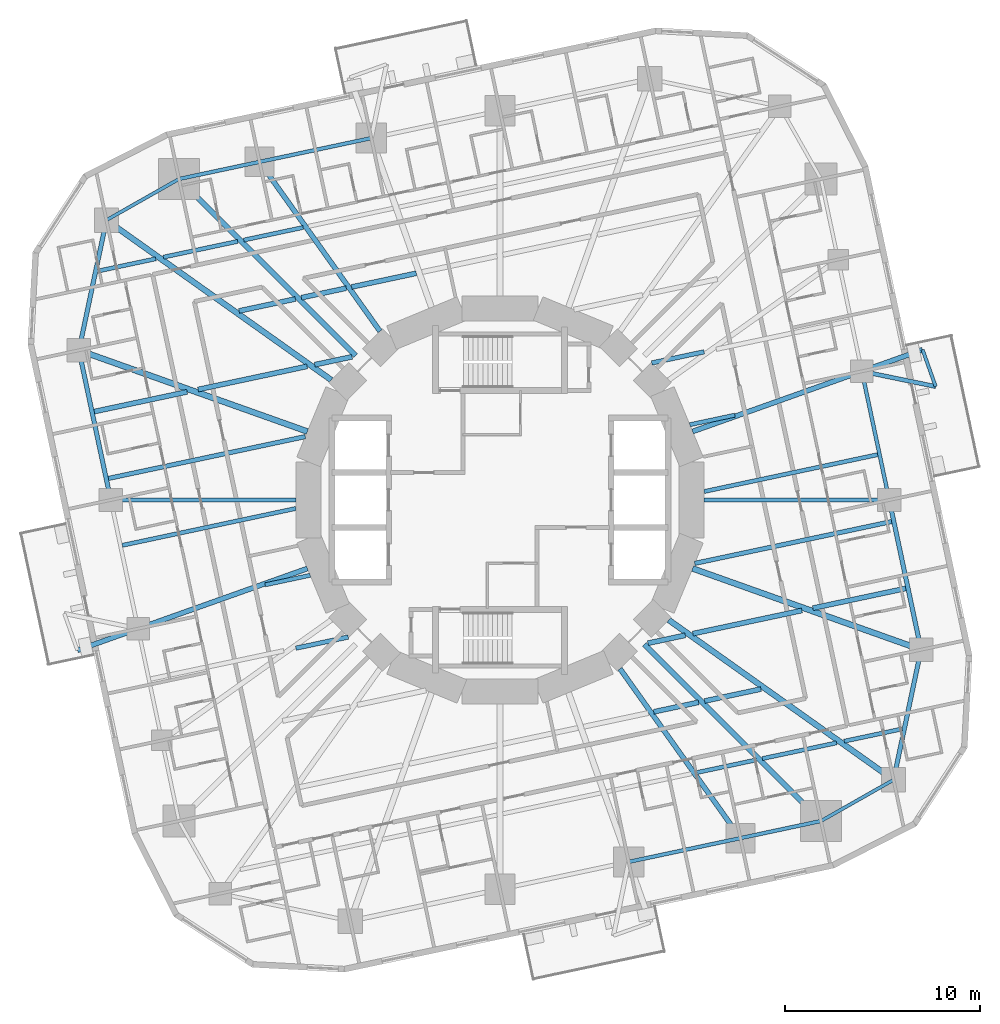
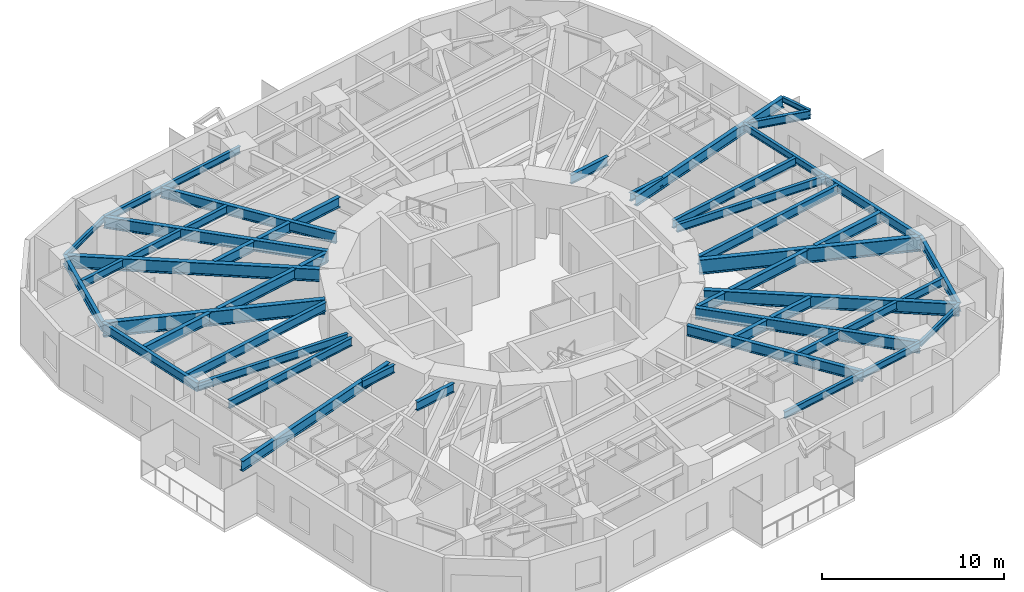
# One storey, part 2 of 14: 50 beams.
"""IFC4 building model written with IfcOpenShell, lengths in metres."""

from ifc_helpers import new_model, si_unit, direction, frame, origin, origin_2d, place, context, subcontext, project, spatial, i_section, extrude, material, material_profile, profile_set, type_object, element, save


model = new_model("IFC4")

# Units and contexts
model_context = context("Model", 3, precision=1e-05, world=origin(), true_north=direction((0.0, 1.0)))
body_context = subcontext(model_context, "Body", "Model", "MODEL_VIEW")
ifc_project = project(units=[si_unit("LENGTHUNIT", "METRE"), si_unit("AREAUNIT", "SQUARE_METRE"), si_unit("VOLUMEUNIT", "CUBIC_METRE"), si_unit("PLANEANGLEUNIT", "RADIAN"), si_unit("MASSUNIT", "GRAM", prefix="KILO")], contexts=[model_context])

# Site, building, storey
site_placement = place(None, origin())
site = spatial("IfcSite", under=ifc_project, at=site_placement, CompositionType="ELEMENT")
building_placement = place(site_placement, origin())
building = spatial("IfcBuilding", under=site, at=building_placement, Name="Nakasero Lantern House", CompositionType="ELEMENT")
storey_placement = place(building_placement, frame((0.0, 0.0, 108.85009765625)))
storey = spatial("IfcBuildingStorey", under=building, at=storey_placement, Name="L26", CompositionType="ELEMENT", Elevation=108.85009765625)

# Beams
ifc_material_1 = material(Name="Steel S355", Category="steel")
ifc_material_profile_1 = material_profile(ifc_material_1, i_section(OverallWidth=0.2138671875, OverallDepth=0.549072265625, WebThickness=0.0146484375, FlangeThickness=0.023681640625, FilletRadius=0.0126953125, at=origin_2d()), Name="UB 533x210x138")
ifc_profile_set_1 = profile_set([ifc_material_profile_1], Name="Steel S355")
beam_type_1 = type_object("IfcBeamType", Name="Balcony splay beam UB 533x210x138", PredefinedType="BEAM", material=ifc_profile_set_1)
beam_1_placement = place(storey_placement, frame((18.534912109375, 6.590087890625, 3.375244140625), z_axis=(0.979420272605, -0.201831438605, 0.0), x_axis=(0.201831438605, 0.979420272605, 0.0)))
element("IfcBeam", 1, at=beam_1_placement, inside=storey, type_object=beam_type_1, Name="Balcony splay beam L27 B3-C04A", PredefinedType="BEAM", context=body_context, shape_type="SweptSolid", body=[
    extrude(i_section(OverallWidth=0.2138671875, OverallDepth=0.549072265625, WebThickness=0.0146484375, FlangeThickness=0.023681640625, FilletRadius=0.0126953125, at=origin_2d()), origin(), (0.0, 0.0, 1.0), 3.858642578125),
])
ifc_material_2 = material(Name="Steel S355", Category="steel")
ifc_material_profile_2 = material_profile(ifc_material_2, i_section(OverallWidth=0.17138671875, OverallDepth=0.35498046875, WebThickness=0.00732421875, FlangeThickness=0.011474609375, FilletRadius=0.01025390625, at=origin_2d()), Name="UB 356x171x51")
ifc_profile_set_2 = profile_set([ifc_material_profile_2], Name="Steel S355")
beam_type_2 = type_object("IfcBeamType", Name="Balcony tie beam UB 356x171x51", PredefinedType="BEAM", material=ifc_profile_set_2)
beam_2_placement = place(storey_placement, frame((22.314208984375, 5.811279296875, 3.472412109375), z_axis=(-0.335060236487, 0.942196708721, 0.0), x_axis=(-0.942196708721, -0.335060236487, 0.0)))
element("IfcBeam", 2, at=beam_2_placement, inside=storey, type_object=beam_type_2, Name="Balcony tie beam L27 B3-C04", PredefinedType="BEAM", context=body_context, shape_type="SweptSolid", body=[
    extrude(i_section(OverallWidth=0.17138671875, OverallDepth=0.35498046875, WebThickness=0.00732421875, FlangeThickness=0.011474609375, FilletRadius=0.01025390625, at=origin_2d()), origin(), (0.0, 0.0, 1.0), 2.000244140625),
])
ifc_material_3 = material(Name="Steel S355", Category="steel")
ifc_material_profile_3 = material_profile(ifc_material_3, i_section(OverallWidth=0.2099609375, OverallDepth=0.53662109375, WebThickness=0.0107421875, FlangeThickness=0.017333984375, FilletRadius=0.0126953125, at=origin_2d()), Name="UB 533x210x101")
ifc_profile_set_3 = profile_set([ifc_material_profile_3], Name="Steel S355")
beam_type_3 = type_object("IfcBeamType", Name="Infill beam UB 533x210x101", PredefinedType="JOIST", material=ifc_profile_set_3)
beam_3_placement = place(storey_placement, frame((10.0830078125, -13.958740234375, 3.381591796875), z_axis=(0.97813788874, 0.207957376908, 0.0), x_axis=(-0.207957376908, 0.97813788874, 0.0)))
element("IfcBeam", 3, at=beam_3_placement, inside=storey, type_object=beam_type_3, Name="Infill beam L27 03.5", PredefinedType="JOIST", context=body_context, shape_type="SweptSolid", body=[
    extrude(i_section(OverallWidth=0.2099609375, OverallDepth=0.53662109375, WebThickness=0.0107421875, FlangeThickness=0.017333984375, FilletRadius=0.0126953125, at=origin_2d()), origin(), (0.0, 0.0, 1.0), 3.108642578125),
])
beam_4_placement = place(storey_placement, frame((13.434814453125, -13.24609375, 3.381591796875), z_axis=(0.978152946383, 0.207886539924, 0.0), x_axis=(-0.207886539924, 0.978152946383, 0.0)))
element("IfcBeam", 4, at=beam_4_placement, inside=storey, type_object=beam_type_3, Name="Infill beam L27 03.6", PredefinedType="JOIST", context=body_context, shape_type="SweptSolid", body=[
    extrude(i_section(OverallWidth=0.2099609375, OverallDepth=0.53662109375, WebThickness=0.0107421875, FlangeThickness=0.017333984375, FilletRadius=0.0126953125, at=origin_2d()), origin(), (0.0, 0.0, 1.0), 3.888427734375),
])
beam_5_placement = place(storey_placement, frame((17.626708984375, -12.355224609375, 3.381591796875), z_axis=(0.978152299812, 0.207889582165, 0.0), x_axis=(-0.207889582165, 0.978152299812, 0.0)))
element("IfcBeam", 5, at=beam_5_placement, inside=storey, type_object=beam_type_3, Name="Infill beam L27 03.7", PredefinedType="JOIST", context=body_context, shape_type="SweptSolid", body=[
    extrude(i_section(OverallWidth=0.2099609375, OverallDepth=0.53662109375, WebThickness=0.0107421875, FlangeThickness=0.017333984375, FilletRadius=0.0126953125, at=origin_2d()), origin(), (0.0, 0.0, 1.0), 3.031005859375),
])
beam_6_placement = place(storey_placement, frame((-12.030029296875, -4.34619140625, 3.381591796875), z_axis=(0.97814938161, 0.207903312278, 0.0), x_axis=(-0.207903312278, 0.97814938161, 0.0)))
element("IfcBeam", 6, at=beam_6_placement, inside=storey, type_object=beam_type_3, Name="Infill beam L27 07.1", PredefinedType="JOIST", context=body_context, shape_type="SweptSolid", body=[
    extrude(i_section(OverallWidth=0.2099609375, OverallDepth=0.53662109375, WebThickness=0.0107421875, FlangeThickness=0.017333984375, FilletRadius=0.0126953125, at=origin_2d()), origin(), (0.0, 0.0, 1.0), 2.359130859375),
])
for number, where, z_axis, x_axis, name in (
    (7, (10.457763671875, 0.433837890625, 3.381591796875), (0.978146760676, 0.207915642939, 0.0), (-0.207915642939, 0.978146760676, 0.0), "Infill beam L27 07.2"),
    (8, (-19.34423828125, -2.32275390625, 3.381591796875), (0.978146760676, 0.207915642939, 0.0), (-0.207915642939, 0.978146760676, 0.0), "Infill beam L27 08.1"),
):
    element("IfcBeam", number, at=place(storey_placement, frame(where, z_axis=z_axis, x_axis=x_axis)), inside=storey, type_object=beam_type_3, Name=name, PredefinedType="JOIST", context=body_context, shape_type="SweptSolid", body=[
        extrude(i_section(OverallWidth=0.2099609375, OverallDepth=0.53662109375, WebThickness=0.0107421875, FlangeThickness=0.017333984375, FilletRadius=0.0126953125, at=origin_2d()), origin(), (0.0, 0.0, 1.0), 9.0849609375),
    ])
beam_7_placement = place(storey_placement, frame((9.722412109375, 3.855712890625, 3.381591796875), z_axis=(0.97814938161, 0.207903312278, 0.0), x_axis=(-0.207903312278, 0.97814938161, 0.0)))
element("IfcBeam", 9, at=beam_7_placement, inside=storey, type_object=beam_type_3, Name="Infill beam L27 08.2", PredefinedType="JOIST", context=body_context, shape_type="SweptSolid", body=[
    extrude(i_section(OverallWidth=0.2099609375, OverallDepth=0.53662109375, WebThickness=0.0107421875, FlangeThickness=0.017333984375, FilletRadius=0.0126953125, at=origin_2d()), origin(), (0.0, 0.0, 1.0), 2.359130859375),
])
beam_8_placement = place(storey_placement, frame((-20.591552734375, 11.72509765625, 3.381591796875), z_axis=(0.978152299812, 0.207889582165, 0.0), x_axis=(-0.207889582165, 0.978152299812, 0.0)))
element("IfcBeam", 10, at=beam_8_placement, inside=storey, type_object=beam_type_3, Name="Infill beam L27 12.1", PredefinedType="JOIST", context=body_context, shape_type="SweptSolid", body=[
    extrude(i_section(OverallWidth=0.2099609375, OverallDepth=0.53662109375, WebThickness=0.0107421875, FlangeThickness=0.017333984375, FilletRadius=0.0126953125, at=origin_2d()), origin(), (0.0, 0.0, 1.0), 3.031005859375),
])
beam_9_placement = place(storey_placement, frame((-17.23828125, 12.437744140625, 3.381591796875), z_axis=(0.978152946383, 0.207886539924, 0.0), x_axis=(-0.207886539924, 0.978152946383, 0.0)))
element("IfcBeam", 11, at=beam_9_placement, inside=storey, type_object=beam_type_3, Name="Infill beam L27 12.2", PredefinedType="JOIST", context=body_context, shape_type="SweptSolid", body=[
    extrude(i_section(OverallWidth=0.2099609375, OverallDepth=0.53662109375, WebThickness=0.0107421875, FlangeThickness=0.017333984375, FilletRadius=0.0126953125, at=origin_2d()), origin(), (0.0, 0.0, 1.0), 3.888427734375),
])
beam_10_placement = place(storey_placement, frame((-13.123779296875, 13.312255859375, 3.381591796875), z_axis=(0.97813788874, 0.207957376908, 0.0), x_axis=(-0.207957376908, 0.97813788874, 0.0)))
element("IfcBeam", 12, at=beam_10_placement, inside=storey, type_object=beam_type_3, Name="Infill beam L27 12.3", PredefinedType="JOIST", context=body_context, shape_type="SweptSolid", body=[
    extrude(i_section(OverallWidth=0.2099609375, OverallDepth=0.53662109375, WebThickness=0.0107421875, FlangeThickness=0.017333984375, FilletRadius=0.0126953125, at=origin_2d()), origin(), (0.0, 0.0, 1.0), 3.108642578125),
])
ifc_material_4 = material(Name="Steel S355", Category="steel")
ifc_material_profile_4 = material_profile(ifc_material_4, i_section(OverallWidth=0.2275390625, OverallDepth=0.6025390625, WebThickness=0.010498046875, FlangeThickness=0.014892578125, FilletRadius=0.0126953125, at=origin_2d()), Name="UB 610x229x101")
ifc_profile_set_4 = profile_set([ifc_material_profile_4], Name="Steel S355")
beam_type_4 = type_object("IfcBeamType", Name="Infill beam UB 610x229x101", PredefinedType="JOIST", material=ifc_profile_set_4)
beam_11_placement = place(storey_placement, frame((-10.453369140625, -7.58935546875, 3.3486328125), z_axis=(0.978139842642, 0.207948186423, 0.0), x_axis=(-0.207948186423, 0.978139842642, 0.0)))
element("IfcBeam", 13, at=beam_11_placement, inside=storey, type_object=beam_type_4, Name="Infill beam L27 06.2", PredefinedType="JOIST", context=body_context, shape_type="SweptSolid", body=[
    extrude(i_section(OverallWidth=0.2275390625, OverallDepth=0.6025390625, WebThickness=0.010498046875, FlangeThickness=0.014892578125, FilletRadius=0.0126953125, at=origin_2d()), origin(), (0.0, 0.0, 1.0), 2.74267578125),
])
for number, where, z_axis, x_axis, name in (
    (14, (9.974365234375, -3.2470703125, 3.3486328125), (0.978151564707, 0.207893040916, 0.0), (-0.207893040916, 0.978151564707, 0.0), "Infill beam L27 06.3"),
    (15, (-20.05419921875, 1.104736328125, 3.3486328125), (0.978151564707, 0.207893040916, 0.0), (-0.207893040916, 0.978151564707, 0.0), "Infill beam L27 09.1"),
):
    element("IfcBeam", number, at=place(storey_placement, frame(where, z_axis=z_axis, x_axis=x_axis)), inside=storey, type_object=beam_type_4, Name=name, PredefinedType="JOIST", context=body_context, shape_type="SweptSolid", body=[
        extrude(i_section(OverallWidth=0.2275390625, OverallDepth=0.6025390625, WebThickness=0.010498046875, FlangeThickness=0.014892578125, FilletRadius=0.0126953125, at=origin_2d()), origin(), (0.0, 0.0, 1.0), 10.304931640625),
    ])
beam_12_placement = place(storey_placement, frame((7.770751953125, 7.01904296875, 3.3486328125), z_axis=(0.978139842642, 0.207948186423, 0.0), x_axis=(-0.207948186423, 0.978139842642, 0.0)))
element("IfcBeam", 16, at=beam_12_placement, inside=storey, type_object=beam_type_4, Name="Infill beam L27 09.2", PredefinedType="JOIST", context=body_context, shape_type="SweptSolid", body=[
    extrude(i_section(OverallWidth=0.2275390625, OverallDepth=0.6025390625, WebThickness=0.010498046875, FlangeThickness=0.014892578125, FilletRadius=0.0126953125, at=origin_2d()), origin(), (0.0, 0.0, 1.0), 2.74267578125),
])
ifc_material_5 = material(Name="Steel S355", Category="steel")
ifc_material_profile_5 = material_profile(ifc_material_5, i_section(OverallWidth=0.253662109375, OverallDepth=0.68359375, WebThickness=0.012451171875, FlangeThickness=0.01904296875, FilletRadius=0.01513671875, at=origin_2d()), Name="UB 686x254x140")
ifc_profile_set_5 = profile_set([ifc_material_profile_5], Name="Steel S355")
beam_type_5 = type_object("IfcBeamType", Name="Infill beam UB 686x254x140", PredefinedType="JOIST", material=ifc_profile_set_5)
beam_13_placement = place(storey_placement, frame((7.872802734375, -10.850341796875, 3.30810546875), z_axis=(0.97813694426, 0.207961819271, 0.0), x_axis=(-0.207961819271, 0.97813694426, 0.0)))
element("IfcBeam", 17, at=beam_13_placement, inside=storey, type_object=beam_type_5, Name="Infill beam L27 04.5", PredefinedType="JOIST", context=body_context, shape_type="SweptSolid", body=[
    extrude(i_section(OverallWidth=0.253662109375, OverallDepth=0.68359375, WebThickness=0.012451171875, FlangeThickness=0.01904296875, FilletRadius=0.01513671875, at=origin_2d()), origin(), (0.0, 0.0, 1.0), 2.3515625),
])
for number, where, z_axis, x_axis, name in (
    (18, (10.48388671875, -10.295166015625, 3.30810546875), (0.978146839882, 0.207915270313, 0.0), (-0.207915270313, 0.978146839882, 0.0), "Infill beam L27 04.6"),
    (19, (-13.364501953125, 9.682861328125, 3.30810546875), (0.978146839882, 0.207915270313, 0.0), (-0.207915270313, 0.978146839882, 0.0), "Infill beam L27 11.1"),
):
    element("IfcBeam", number, at=place(storey_placement, frame(where, z_axis=z_axis, x_axis=x_axis)), inside=storey, type_object=beam_type_5, Name=name, PredefinedType="JOIST", context=body_context, shape_type="SweptSolid", body=[
        extrude(i_section(OverallWidth=0.253662109375, OverallDepth=0.68359375, WebThickness=0.012451171875, FlangeThickness=0.01904296875, FilletRadius=0.01513671875, at=origin_2d()), origin(), (0.0, 0.0, 1.0), 2.945068359375),
    ])
beam_14_placement = place(storey_placement, frame((-10.1728515625, 10.361328125, 3.30810546875), z_axis=(0.97813694426, 0.207961819271, 0.0), x_axis=(-0.207961819271, 0.97813694426, 0.0)))
element("IfcBeam", 20, at=beam_14_placement, inside=storey, type_object=beam_type_5, Name="Infill beam L27 11.2", PredefinedType="JOIST", context=body_context, shape_type="SweptSolid", body=[
    extrude(i_section(OverallWidth=0.253662109375, OverallDepth=0.68359375, WebThickness=0.012451171875, FlangeThickness=0.01904296875, FilletRadius=0.01513671875, at=origin_2d()), origin(), (0.0, 0.0, 1.0), 2.3515625),
])
beam_15_placement = place(storey_placement, frame((-7.60009765625, 10.908203125, 3.30810546875), z_axis=(0.978143084163, 0.207932938478, 0.0), x_axis=(-0.207932938478, 0.978143084163, 0.0)))
element("IfcBeam", 21, at=beam_15_placement, inside=storey, type_object=beam_type_5, Name="Infill beam L27 11.3", PredefinedType="JOIST", context=body_context, shape_type="SweptSolid", body=[
    extrude(i_section(OverallWidth=0.253662109375, OverallDepth=0.68359375, WebThickness=0.012451171875, FlangeThickness=0.01904296875, FilletRadius=0.01513671875, at=origin_2d()), origin(), (0.0, 0.0, 1.0), 3.385009765625),
])
ifc_material_6 = material(Name="Steel S355", Category="steel")
ifc_material_profile_6 = material_profile(ifc_material_6, i_section(OverallWidth=0.255859375, OverallDepth=0.69287109375, WebThickness=0.014404296875, FlangeThickness=0.023681640625, FilletRadius=0.01513671875, at=origin_2d()), Name="UB 686x254x170")
ifc_profile_set_6 = profile_set([ifc_material_profile_6], Name="Steel S355")
beam_type_6 = type_object("IfcBeamType", Name="Infill beam UB 686x254x170", PredefinedType="JOIST", material=ifc_profile_set_6)
beam_16_placement = place(storey_placement, frame((7.5771484375, -7.3349609375, 3.303466796875), z_axis=(0.978142670498, 0.207934884401, 0.0), x_axis=(-0.207934884401, 0.978142670498, 0.0)))
element("IfcBeam", 22, at=beam_16_placement, inside=storey, type_object=beam_type_6, Name="Infill beam L27 05.3", PredefinedType="JOIST", context=body_context, shape_type="SweptSolid", body=[
    extrude(i_section(OverallWidth=0.255859375, OverallDepth=0.69287109375, WebThickness=0.014404296875, FlangeThickness=0.023681640625, FilletRadius=0.01513671875, at=origin_2d()), origin(), (0.0, 0.0, 1.0), 1.9560546875),
])
beam_17_placement = place(storey_placement, frame((9.87890625, -6.845703125, 3.303466796875), z_axis=(0.978148855575, 0.207905787166, 0.0), x_axis=(-0.207905787166, 0.978148855575, 0.0)))
element("IfcBeam", 23, at=beam_17_placement, inside=storey, type_object=beam_type_6, Name="Infill beam L27 05.4", PredefinedType="JOIST", context=body_context, shape_type="SweptSolid", body=[
    extrude(i_section(OverallWidth=0.255859375, OverallDepth=0.69287109375, WebThickness=0.014404296875, FlangeThickness=0.023681640625, FilletRadius=0.01513671875, at=origin_2d()), origin(), (0.0, 0.0, 1.0), 5.711669921875),
])
for number, where, z_axis, x_axis, name in (
    (24, (16.026123046875, -5.5390625, 3.303466796875), (0.978141363358, 0.207941033198, 0.0), (-0.207941033198, 0.978141363358, 0.0), "Infill beam L27 05.5"),
    (25, (-20.78173828125, 4.528076171875, 3.303466796875), (0.978141363358, 0.207941033198, 0.0), (-0.207941033198, 0.978141363358, 0.0), "Infill beam L27 10.1"),
):
    element("IfcBeam", number, at=place(storey_placement, frame(where, z_axis=z_axis, x_axis=x_axis)), inside=storey, type_object=beam_type_6, Name=name, PredefinedType="JOIST", context=body_context, shape_type="SweptSolid", body=[
        extrude(i_section(OverallWidth=0.255859375, OverallDepth=0.69287109375, WebThickness=0.014404296875, FlangeThickness=0.023681640625, FilletRadius=0.01513671875, at=origin_2d()), origin(), (0.0, 0.0, 1.0), 4.86181640625),
    ])
beam_18_placement = place(storey_placement, frame((-15.4658203125, 5.658203125, 3.303466796875), z_axis=(0.978148855575, 0.207905787166, 0.0), x_axis=(-0.207905787166, 0.978148855575, 0.0)))
element("IfcBeam", 26, at=beam_18_placement, inside=storey, type_object=beam_type_6, Name="Infill beam L27 10.2", PredefinedType="JOIST", context=body_context, shape_type="SweptSolid", body=[
    extrude(i_section(OverallWidth=0.255859375, OverallDepth=0.69287109375, WebThickness=0.014404296875, FlangeThickness=0.023681640625, FilletRadius=0.01513671875, at=origin_2d()), origin(), (0.0, 0.0, 1.0), 5.711669921875),
])
beam_19_placement = place(storey_placement, frame((-9.490478515625, 6.92822265625, 3.303466796875), z_axis=(0.978142670498, 0.207934884401, 0.0), x_axis=(-0.207934884401, 0.978142670498, 0.0)))
element("IfcBeam", 27, at=beam_19_placement, inside=storey, type_object=beam_type_6, Name="Infill beam L27 10.3", PredefinedType="JOIST", context=body_context, shape_type="SweptSolid", body=[
    extrude(i_section(OverallWidth=0.255859375, OverallDepth=0.69287109375, WebThickness=0.014404296875, FlangeThickness=0.023681640625, FilletRadius=0.01513671875, at=origin_2d()), origin(), (0.0, 0.0, 1.0), 1.9560546875),
])
ifc_material_7 = material(Name="Steel S355", Category="steel")
ifc_material_profile_7 = material_profile(ifc_material_7, i_section(OverallWidth=0.300048828125, OverallDepth=0.97998046875, WebThickness=0.0166015625, FlangeThickness=0.02587890625, FilletRadius=0.030029296875, at=origin_2d()), Name="UB 1016x305x249")
ifc_profile_set_7 = profile_set([ifc_material_profile_7], Name="Steel S355")
beam_type_7 = type_object("IfcBeamType", Name="Primary beam UB 1016x305x249, span 12 to 15 m", PredefinedType="BEAM", material=ifc_profile_set_7)
for number, where, z_axis, x_axis, name in (
    (28, (21.5654296875, -7.667724609375, 3.159912109375), (-0.942213862739, 0.335011995103, 0.0), (-0.335011995103, -0.942213862739, 0.0), "Primary beam L27 B3-C02"),
    (29, (-21.5654296875, 7.667724609375, 3.159912109375), (0.942213862739, -0.335011995103, 0.0), (0.335011995103, 0.942213862739, 0.0), "Primary beam L27 B3-C14"),
):
    element("IfcBeam", number, at=place(storey_placement, frame(where, z_axis=z_axis, x_axis=x_axis)), inside=storey, type_object=beam_type_7, Name=name, PredefinedType="BEAM", context=body_context, shape_type="SweptSolid", body=[
        extrude(i_section(OverallWidth=0.300048828125, OverallDepth=0.97998046875, WebThickness=0.0166015625, FlangeThickness=0.02587890625, FilletRadius=0.030029296875, at=origin_2d()), origin(), (0.0, 0.0, 1.0), 12.41650390625),
    ])
ifc_material_8 = material(Name="Steel S355", Category="steel")
ifc_material_profile_8 = material_profile(ifc_material_8, i_section(OverallWidth=0.208740234375, OverallDepth=0.5283203125, WebThickness=0.009521484375, FlangeThickness=0.01318359375, FilletRadius=0.0126953125, at=origin_2d()), Name="UB 533x210x82")
ifc_profile_set_8 = profile_set([ifc_material_profile_8], Name="Steel S355")
beam_type_8 = type_object("IfcBeamType", Name="Primary beam UB 533x210x82, span 9 to 12 m", PredefinedType="BEAM", material=ifc_profile_set_8)
for number, where, z_axis, x_axis, name in (
    (30, (19.935546875, 0.0, 3.3857421875), (-1.0, 0.0, 0.0), (0.0, -1.0, 0.0), "Primary beam L27 B3-C03"),
    (31, (-19.935546875, 0.0, 3.3857421875), (1.0, 0.0, 0.0), (0.0, 1.0, 0.0), "Primary beam L27 B3-C15"),
):
    element("IfcBeam", number, at=place(storey_placement, frame(where, z_axis=z_axis, x_axis=x_axis)), inside=storey, type_object=beam_type_8, Name=name, PredefinedType="BEAM", context=body_context, shape_type="SweptSolid", body=[
        extrude(i_section(OverallWidth=0.208740234375, OverallDepth=0.5283203125, WebThickness=0.009521484375, FlangeThickness=0.01318359375, FilletRadius=0.0126953125, at=origin_2d()), origin(), (0.0, 0.0, 1.0), 9.477783203125),
    ])
ifc_material_9 = material(Name="Steel S355", Category="steel")
ifc_material_profile_9 = material_profile(ifc_material_9, i_section(OverallWidth=0.255859375, OverallDepth=0.69287109375, WebThickness=0.014404296875, FlangeThickness=0.023681640625, FilletRadius=0.01513671875, at=origin_2d()), Name="UB 686x254x170")
ifc_profile_set_9 = profile_set([ifc_material_profile_9], Name="Steel S355")
beam_type_9 = type_object("IfcBeamType", Name="Primary beam UB 686x254x170, span 9 to 12 m", PredefinedType="BEAM", material=ifc_profile_set_9)
beam_20_placement = place(storey_placement, frame((21.64404296875, 7.69580078125, 3.303466796875), z_axis=(-0.942210717159, -0.335020841845, 0.0), x_axis=(0.335020841845, -0.942210717159, 0.0)))
element("IfcBeam", 32, at=beam_20_placement, inside=storey, type_object=beam_type_9, Name="Primary beam L27 B3-C04", PredefinedType="BEAM", context=body_context, shape_type="SweptSolid", body=[
    extrude(i_section(OverallWidth=0.255859375, OverallDepth=0.69287109375, WebThickness=0.014404296875, FlangeThickness=0.023681640625, FilletRadius=0.01513671875, at=origin_2d()), origin(), (0.0, 0.0, 1.0), 12.5),
])
beam_21_placement = place(storey_placement, frame((-12.31494140625, 17.318115234375, 3.303466796875), z_axis=(0.579520739774, -0.814957491022, 0.0), x_axis=(0.814957491022, 0.579520739774, 0.0)))
element("IfcBeam", 33, at=beam_21_placement, inside=storey, type_object=beam_type_9, Name="Primary beam L27 B3-C11", PredefinedType="BEAM", context=body_context, shape_type="SweptSolid", body=[
    extrude(i_section(OverallWidth=0.255859375, OverallDepth=0.69287109375, WebThickness=0.014404296875, FlangeThickness=0.023681640625, FilletRadius=0.01513671875, at=origin_2d()), origin(), (0.0, 0.0, 1.0), 10.64453125),
])
beam_22_placement = place(storey_placement, frame((-21.64404296875, -7.69580078125, 3.303466796875), z_axis=(0.942210717159, 0.335020841845, 0.0), x_axis=(-0.335020841845, 0.942210717159, 0.0)))
element("IfcBeam", 34, at=beam_22_placement, inside=storey, type_object=beam_type_9, Name="Primary beam L27 B3-C16", PredefinedType="BEAM", context=body_context, shape_type="SweptSolid", body=[
    extrude(i_section(OverallWidth=0.255859375, OverallDepth=0.69287109375, WebThickness=0.014404296875, FlangeThickness=0.023681640625, FilletRadius=0.01513671875, at=origin_2d()), origin(), (0.0, 0.0, 1.0), 12.5),
])
beam_23_placement = place(storey_placement, frame((12.31494140625, -17.318115234375, 3.303466796875), z_axis=(-0.579520739774, 0.814957491022, 0.0), x_axis=(-0.814957491022, -0.579520739774, 0.0)))
element("IfcBeam", 35, at=beam_23_placement, inside=storey, type_object=beam_type_9, Name="Primary beam L27 B3-C23", PredefinedType="BEAM", context=body_context, shape_type="SweptSolid", body=[
    extrude(i_section(OverallWidth=0.255859375, OverallDepth=0.69287109375, WebThickness=0.014404296875, FlangeThickness=0.023681640625, FilletRadius=0.01513671875, at=origin_2d()), origin(), (0.0, 0.0, 1.0), 10.64453125),
])
ifc_material_10 = material(Name="Steel S355", Category="steel")
ifc_material_profile_10 = material_profile(ifc_material_10, i_section(OverallWidth=0.2666015625, OverallDepth=0.76220703125, WebThickness=0.014404296875, FlangeThickness=0.021484375, FilletRadius=0.0166015625, at=origin_2d()), Name="UB 762x267x173")
ifc_profile_set_10 = profile_set([ifc_material_profile_10], Name="Steel S355")
beam_type_10 = type_object("IfcBeamType", Name="Primary beam UB 762x267x173, span 12 to 15 m", PredefinedType="BEAM", material=ifc_profile_set_10)
for number, where, z_axis, x_axis, name in (
    (36, (-16.44091796875, 16.44091796875, 3.268798828125), (0.707106781187, -0.707106781187, 0.0), (0.707106781187, 0.707106781187, 0.0), "Primary beam L27 B3-C12"),
    (37, (16.44091796875, -16.44091796875, 3.268798828125), (-0.707106781187, 0.707106781187, 0.0), (-0.707106781187, -0.707106781187, 0.0), "Primary beam L27 B3-C24"),
):
    element("IfcBeam", number, at=place(storey_placement, frame(where, z_axis=z_axis, x_axis=x_axis)), inside=storey, type_object=beam_type_10, Name=name, PredefinedType="BEAM", context=body_context, shape_type="SweptSolid", body=[
        extrude(i_section(OverallWidth=0.2666015625, OverallDepth=0.76220703125, WebThickness=0.014404296875, FlangeThickness=0.021484375, FilletRadius=0.0166015625, at=origin_2d()), origin(), (0.0, 0.0, 1.0), 12.793212890625),
    ])
ifc_material_11 = material(Name="Steel S355", Category="steel")
ifc_material_profile_11 = material_profile(ifc_material_11, i_section(OverallWidth=0.29248046875, OverallDepth=0.8408203125, WebThickness=0.0146484375, FlangeThickness=0.02685546875, FilletRadius=0.017822265625, at=origin_2d()), Name="UB 838x292x194")
ifc_profile_set_11 = profile_set([ifc_material_profile_11], Name="Steel S355")
beam_type_11 = type_object("IfcBeamType", Name="Primary beam UB 838x292x194, span 12 to 15 m", PredefinedType="BEAM", material=ifc_profile_set_11)
for number, where, z_axis, x_axis, name in (
    (38, (20.15625, -14.33349609375, 3.2294921875), (-0.814946074386, 0.57953679421, 0.0), (-0.57953679421, -0.814946074386, 0.0), "Primary beam L27 B3-C01"),
    (39, (-20.15625, 14.33349609375, 3.2294921875), (0.814946074386, -0.57953679421, 0.0), (0.57953679421, 0.814946074386, 0.0), "Primary beam L27 B3-C13"),
):
    element("IfcBeam", number, at=place(storey_placement, frame(where, z_axis=z_axis, x_axis=x_axis)), inside=storey, type_object=beam_type_11, Name=name, PredefinedType="BEAM", context=body_context, shape_type="SweptSolid", body=[
        extrude(i_section(OverallWidth=0.29248046875, OverallDepth=0.8408203125, WebThickness=0.0146484375, FlangeThickness=0.02685546875, FilletRadius=0.017822265625, at=origin_2d()), origin(), (0.0, 0.0, 1.0), 14.127197265625),
    ])
ifc_material_12 = material(Name="Steel S355", Category="steel")
ifc_material_profile_12 = material_profile(ifc_material_12, i_section(OverallWidth=0.17138671875, OverallDepth=0.35498046875, WebThickness=0.00732421875, FlangeThickness=0.011474609375, FilletRadius=0.01025390625, at=origin_2d()), Name="UB 356x171x51")
ifc_profile_set_12 = profile_set([ifc_material_profile_12], Name="Steel S355")
beam_type_12 = type_object("IfcBeamType", Name="Ring beam UB 356x171x51", PredefinedType="BEAM", material=ifc_profile_set_12)
for number, where, z_axis, x_axis, name in (
    (40, (-16.44091796875, 16.44091796875, 3.472412109375), (-0.869814536213, -0.493378832737, 0.0), (0.493378832737, -0.869814536213, 0.0), "Ring beam L27 B3-C12"),
    (41, (16.44091796875, -16.44091796875, 3.472412109375), (0.869814536213, 0.493378832737, 0.0), (-0.493378832737, 0.869814536213, 0.0), "Ring beam L27 B3-C24"),
):
    element("IfcBeam", number, at=place(storey_placement, frame(where, z_axis=z_axis, x_axis=x_axis)), inside=storey, type_object=beam_type_12, Name=name, PredefinedType="BEAM", context=body_context, shape_type="SweptSolid", body=[
        extrude(i_section(OverallWidth=0.17138671875, OverallDepth=0.35498046875, WebThickness=0.00732421875, FlangeThickness=0.011474609375, FilletRadius=0.01025390625, at=origin_2d()), origin(), (0.0, 0.0, 1.0), 4.271484375),
    ])
ifc_material_13 = material(Name="Steel S355", Category="steel")
ifc_material_profile_13 = material_profile(ifc_material_13, i_section(OverallWidth=0.19140625, OverallDepth=0.4599609375, WebThickness=0.010009765625, FlangeThickness=0.01611328125, FilletRadius=0.01025390625, at=origin_2d()), Name="UB 457x191x82")
ifc_profile_set_13 = profile_set([ifc_material_profile_13], Name="Steel S355")
beam_type_13 = type_object("IfcBeamType", Name="Ring beam UB 457x191x82", PredefinedType="BEAM", material=ifc_profile_set_13)
beam_24_placement = place(storey_placement, frame((19.935546875, 0.0, 3.419921875), z_axis=(-0.20789299389, 0.978151574702, 0.0), x_axis=(-0.978151574702, -0.20789299389, 0.0)))
element("IfcBeam", 42, at=beam_24_placement, inside=storey, type_object=beam_type_13, Name="Ring beam L27 B3-C03", PredefinedType="BEAM", context=body_context, shape_type="SweptSolid", body=[
    extrude(i_section(OverallWidth=0.19140625, OverallDepth=0.4599609375, WebThickness=0.010009765625, FlangeThickness=0.01611328125, FilletRadius=0.01025390625, at=origin_2d()), origin(), (0.0, 0.0, 1.0), 6.7373046875),
])
beam_25_placement = place(storey_placement, frame((-6.590087890625, 18.534912109375, 3.419921875), z_axis=(-0.978149626621, -0.207902159541, 0.0), x_axis=(0.207902159541, -0.978149626621, 0.0)))
element("IfcBeam", 43, at=beam_25_placement, inside=storey, type_object=beam_type_13, Name="Ring beam L27 B3-C10", PredefinedType="BEAM", context=body_context, shape_type="SweptSolid", body=[
    extrude(i_section(OverallWidth=0.19140625, OverallDepth=0.4599609375, WebThickness=0.010009765625, FlangeThickness=0.01611328125, FilletRadius=0.01025390625, at=origin_2d()), origin(), (0.0, 0.0, 1.0), 5.852783203125),
])
beam_26_placement = place(storey_placement, frame((-12.31494140625, 17.318115234375, 3.419921875), z_axis=(-0.978138252658, -0.207955665195, 0.0), x_axis=(0.207955665195, -0.978138252658, 0.0)))
element("IfcBeam", 44, at=beam_26_placement, inside=storey, type_object=beam_type_13, Name="Ring beam L27 B3-C11", PredefinedType="BEAM", context=body_context, shape_type="SweptSolid", body=[
    extrude(i_section(OverallWidth=0.19140625, OverallDepth=0.4599609375, WebThickness=0.010009765625, FlangeThickness=0.01611328125, FilletRadius=0.01025390625, at=origin_2d()), origin(), (0.0, 0.0, 1.0), 4.21826171875),
])
beam_27_placement = place(storey_placement, frame((6.590087890625, -18.534912109375, 3.419921875), z_axis=(0.978149626621, 0.207902159541, 0.0), x_axis=(-0.207902159541, 0.978149626621, 0.0)))
element("IfcBeam", 45, at=beam_27_placement, inside=storey, type_object=beam_type_13, Name="Ring beam L27 B3-C22", PredefinedType="BEAM", context=body_context, shape_type="SweptSolid", body=[
    extrude(i_section(OverallWidth=0.19140625, OverallDepth=0.4599609375, WebThickness=0.010009765625, FlangeThickness=0.01611328125, FilletRadius=0.01025390625, at=origin_2d()), origin(), (0.0, 0.0, 1.0), 5.852783203125),
])
beam_28_placement = place(storey_placement, frame((12.31494140625, -17.318115234375, 3.419921875), z_axis=(0.978138252658, 0.207955665195, 0.0), x_axis=(-0.207955665195, 0.978138252658, 0.0)))
element("IfcBeam", 46, at=beam_28_placement, inside=storey, type_object=beam_type_13, Name="Ring beam L27 B3-C23", PredefinedType="BEAM", context=body_context, shape_type="SweptSolid", body=[
    extrude(i_section(OverallWidth=0.19140625, OverallDepth=0.4599609375, WebThickness=0.010009765625, FlangeThickness=0.01611328125, FilletRadius=0.01025390625, at=origin_2d()), origin(), (0.0, 0.0, 1.0), 4.21826171875),
])
ifc_material_14 = material(Name="Steel S355", Category="steel")
ifc_material_profile_14 = material_profile(ifc_material_14, i_section(OverallWidth=0.2275390625, OverallDepth=0.6025390625, WebThickness=0.010498046875, FlangeThickness=0.014892578125, FilletRadius=0.0126953125, at=origin_2d()), Name="UB 610x229x101")
ifc_profile_set_14 = profile_set([ifc_material_profile_14], Name="Steel S355")
beam_type_14 = type_object("IfcBeamType", Name="Ring beam UB 610x229x101", PredefinedType="BEAM", material=ifc_profile_set_14)
beam_29_placement = place(storey_placement, frame((20.15625, -14.33349609375, 3.3486328125), z_axis=(0.206833925052, 0.978376066473, 0.0), x_axis=(-0.978376066473, 0.206833925052, 0.0)))
element("IfcBeam", 47, at=beam_29_placement, inside=storey, type_object=beam_type_14, Name="Ring beam L27 B3-C01", PredefinedType="BEAM", context=body_context, shape_type="SweptSolid", body=[
    extrude(i_section(OverallWidth=0.2275390625, OverallDepth=0.6025390625, WebThickness=0.010498046875, FlangeThickness=0.014892578125, FilletRadius=0.0126953125, at=origin_2d()), origin(), (0.0, 0.0, 1.0), 6.81298828125),
])
beam_30_placement = place(storey_placement, frame((21.5654296875, -7.667724609375, 3.3486328125), z_axis=(-0.207918725139, 0.978146105516, 0.0), x_axis=(-0.978146105516, -0.207918725139, 0.0)))
element("IfcBeam", 48, at=beam_30_placement, inside=storey, type_object=beam_type_14, Name="Ring beam L27 B3-C02", PredefinedType="BEAM", context=body_context, shape_type="SweptSolid", body=[
    extrude(i_section(OverallWidth=0.2275390625, OverallDepth=0.6025390625, WebThickness=0.010498046875, FlangeThickness=0.014892578125, FilletRadius=0.0126953125, at=origin_2d()), origin(), (0.0, 0.0, 1.0), 7.839111328125),
])
beam_31_placement = place(storey_placement, frame((-20.15625, 14.33349609375, 3.3486328125), z_axis=(-0.206833925052, -0.978376066473, 0.0), x_axis=(0.978376066473, -0.206833925052, 0.0)))
element("IfcBeam", 49, at=beam_31_placement, inside=storey, type_object=beam_type_14, Name="Ring beam L27 B3-C13", PredefinedType="BEAM", context=body_context, shape_type="SweptSolid", body=[
    extrude(i_section(OverallWidth=0.2275390625, OverallDepth=0.6025390625, WebThickness=0.010498046875, FlangeThickness=0.014892578125, FilletRadius=0.0126953125, at=origin_2d()), origin(), (0.0, 0.0, 1.0), 6.81298828125),
])
beam_32_placement = place(storey_placement, frame((-21.5654296875, 7.667724609375, 3.3486328125), z_axis=(0.207918725139, -0.978146105516, 0.0), x_axis=(0.978146105516, 0.207918725139, 0.0)))
element("IfcBeam", 50, at=beam_32_placement, inside=storey, type_object=beam_type_14, Name="Ring beam L27 B3-C14", PredefinedType="BEAM", context=body_context, shape_type="SweptSolid", body=[
    extrude(i_section(OverallWidth=0.2275390625, OverallDepth=0.6025390625, WebThickness=0.010498046875, FlangeThickness=0.014892578125, FilletRadius=0.0126953125, at=origin_2d()), origin(), (0.0, 0.0, 1.0), 7.839111328125),
])

save(model, "model.ifc")
